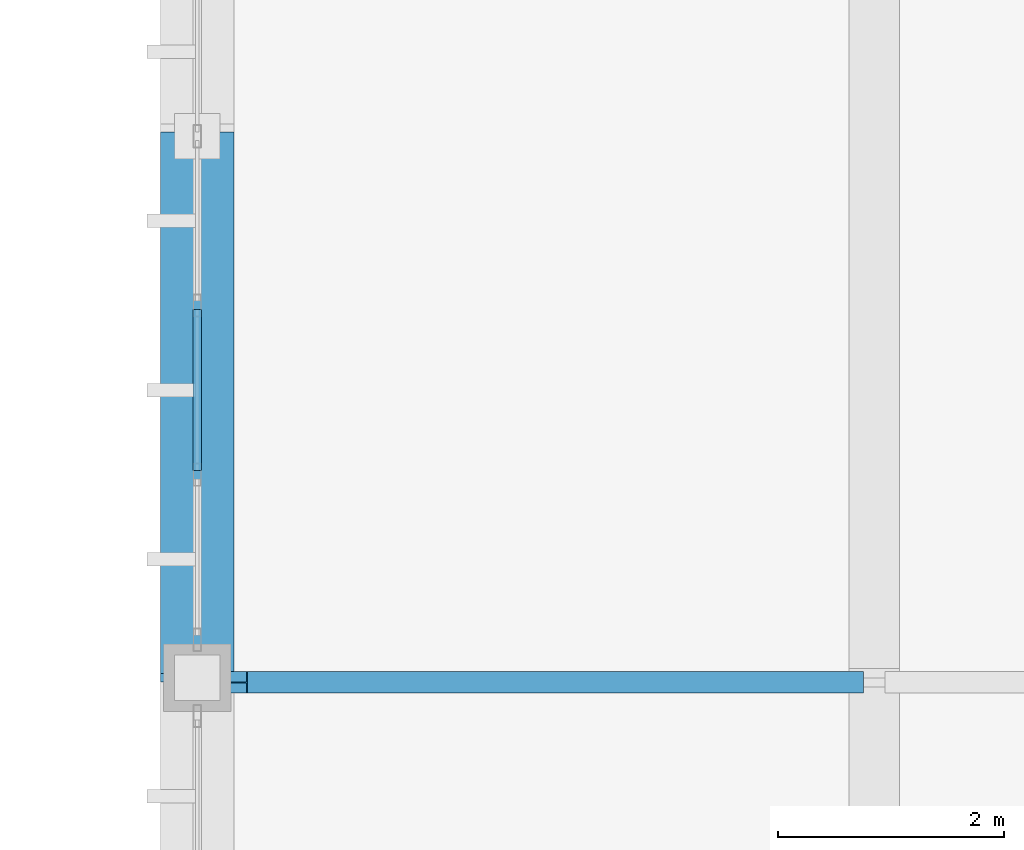
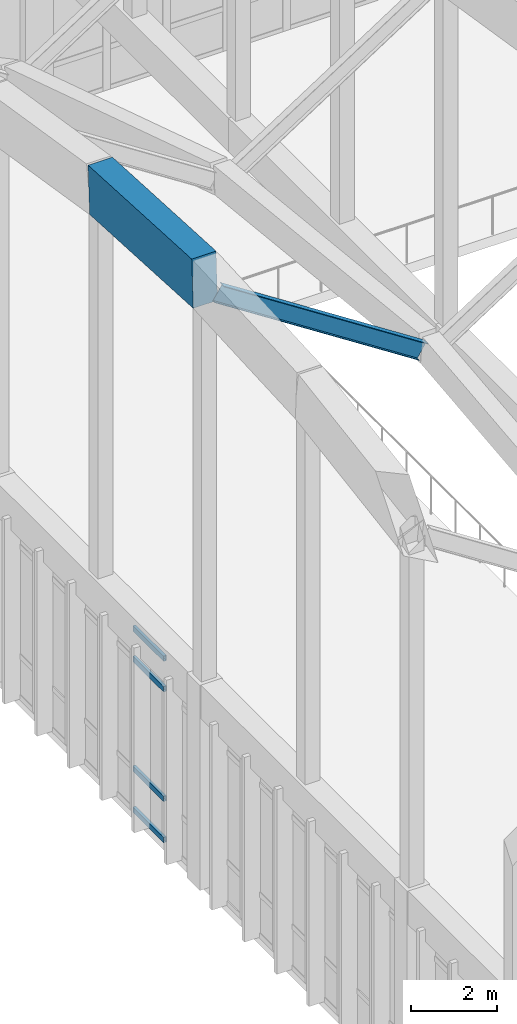
# One storey, part 44 of 236: 5 members, 1 beam, 1 element without a shape of its own.
"""IFC4 building model written with IfcOpenShell, lengths in metres."""

from ifc_helpers import new_model, si_unit, direction, frame, origin, origin_2d, place, context, subcontext, project, spatial, rectangle, hollow_rectangle, i_section, extrude, material, layer, layer_set, material_profile, profile_set, type_object, element, aggregate, save


model = new_model("IFC4")

# Units and contexts
model_context = context("Model", 3, precision=1e-05, world=origin(), true_north=direction((0.0, 1.0)))
body_context = subcontext(model_context, "Body", "Model", "MODEL_VIEW")
ifc_project = project(units=[si_unit("LENGTHUNIT", "METRE"), si_unit("AREAUNIT", "SQUARE_METRE"), si_unit("VOLUMEUNIT", "CUBIC_METRE"), si_unit("PLANEANGLEUNIT", "RADIAN"), si_unit("MASSUNIT", "GRAM", prefix="KILO")], contexts=[model_context])

# Site, building, storey
site_placement = place(None, origin())
site = spatial("IfcSite", under=ifc_project, at=site_placement, CompositionType="ELEMENT")
building_placement = place(site_placement, origin())
building = spatial("IfcBuilding", under=site, at=building_placement, Name="Pandanus Reach Market Hall", CompositionType="ELEMENT")
storey_placement = place(building_placement, frame((0.0, 0.0, 5.39990234375)))
storey = spatial("IfcBuildingStorey", under=building, at=storey_placement, Name="L01", CompositionType="ELEMENT", Elevation=5.39990234375)

# Member
ifc_material_1 = material(Name="Concrete N50 (50 MPa)", Category="concrete")
ifc_material_profile_1 = material_profile(ifc_material_1, rectangle(XDim=0.64990234375, YDim=1.35009765625, at=origin_2d()), Name="RC650x1350", Category="LoadBearing")
ifc_profile_set_1 = profile_set([ifc_material_profile_1], Name="Concrete N50 (50 MPa)")
member_type_1 = type_object("IfcMemberType", Name="AR-RC650-E", PredefinedType="CHORD", material=ifc_profile_set_1)
member_1_placement = place(storey_placement, frame((48.0, 57.60009765625, 16.97998046875), z_axis=(0.0, 0.998587639649, -0.053129332201), x_axis=(-1.0, 0.0, 0.0)))
element("IfcMember", 1, at=member_1_placement, inside=storey, type_object=member_type_1, Name="Parabolic arch top chord A1.7", PredefinedType="CHORD", context=body_context, shape_type="SweptSolid", body=[
    extrude(rectangle(XDim=0.64990234375, YDim=1.35009765625, at=origin_2d()), origin(), (0.0, 0.0, 1.0), 4.806640625),
])

# Beam
ifc_material_2 = material(Name="Steel Grade 350 (350 MPa)", Category="steel")
ifc_material_profile_2 = material_profile(ifc_material_2, i_section(OverallWidth=0.18994140625, OverallDepth=0.45703125, WebThickness=0.009033203125, FlangeThickness=0.014404296875, at=origin_2d()), Name="460UB74.6", Category="LoadBearing")
ifc_profile_set_2 = profile_set([ifc_material_profile_2], Name="Steel Grade 350 (350 MPa)")
beam_type = type_object("IfcBeamType", Name="BM-UB460-I", PredefinedType="BEAM", material=ifc_profile_set_2)
beam_placement = place(storey_placement, frame((48.320068359375, 57.56005859375, 16.530029296875), z_axis=(0.839070527962, 0.0, -0.544022654956), x_axis=(0.0, 1.0, 0.0)))
element("IfcBeam", 2, at=beam_placement, inside=storey, type_object=beam_type, Name="Butterfly transverse rib B1.4L", PredefinedType="BEAM", context=body_context, shape_type="SweptSolid", body=[
    extrude(i_section(OverallWidth=0.18994140625, OverallDepth=0.45703125, WebThickness=0.009033203125, FlangeThickness=0.014404296875, at=origin_2d()), origin(), (0.0, 0.0, 1.0), 6.507080078125),
])

# Curtain wall, members
ifc_material_3 = material(Name="Bronze anodised aluminium and low-E glass", Category="aluminium")
ifc_layer = layer(ifc_material_3, 0.199951171875, Name="CW-05")
ifc_layer_set = layer_set([ifc_layer], Name="Bronze anodised aluminium and low-E glass")
curtain_wall_type = type_object("IfcCurtainWallType", Name="CW-05", PredefinedType="NOTDEFINED", material=ifc_layer_set)
curtain_wall_placement = place(storey_placement, origin())
curtain_wall = element("IfcCurtainWall", 3, at=curtain_wall_placement, inside=storey, type_object=curtain_wall_type, Name="Glazed curtain wall CW-05 CW-0029", PredefinedType="NOTDEFINED")
ifc_material_4 = material(Name="Bronze anodised aluminium", Category="aluminium")
ifc_material_profile_3 = material_profile(ifc_material_4, hollow_rectangle(XDim=0.074951171875, YDim=0.14990234375, WallThickness=0.00439453125, at=origin_2d()), Name="ALU75x150", Category="LoadBearing")
ifc_profile_set_3 = profile_set([ifc_material_profile_3], Name="Bronze anodised aluminium")
member_type_2 = type_object("IfcMemberType", Name="CW-T2", PredefinedType="USERDEFINED", material=ifc_profile_set_3)
member_2_placement = place(storey_placement, frame((48.0, 59.4375, 0.03759765625), z_axis=(0.0, 1.0, 0.0), x_axis=(-1.0, 0.0, 0.0)))
member_2 = element("IfcMember", 4, at=member_2_placement, type_object=member_type_2, Name="CW-05 transom 2.1", ObjectType="TRANSOM", PredefinedType="USERDEFINED", context=body_context, shape_type="SweptSolid", body=[
    extrude(hollow_rectangle(XDim=0.074951171875, YDim=0.14990234375, WallThickness=0.00439453125, at=origin_2d()), origin(), (0.0, 0.0, 1.0), 1.425048828125),
])
member_3_placement = place(storey_placement, frame((48.0, 59.4375, 1.2001953125), z_axis=(0.0, 1.0, 0.0), x_axis=(-1.0, 0.0, 0.0)))
member_3 = element("IfcMember", 5, at=member_3_placement, type_object=member_type_2, Name="CW-05 transom 2.2", ObjectType="TRANSOM", PredefinedType="USERDEFINED", context=body_context, shape_type="SweptSolid", body=[
    extrude(hollow_rectangle(XDim=0.074951171875, YDim=0.14990234375, WallThickness=0.00439453125, at=origin_2d()), origin(), (0.0, 0.0, 1.0), 1.425048828125),
])
member_4_placement = place(storey_placement, frame((48.0, 59.4375, 4.300048828125), z_axis=(0.0, 1.0, 0.0), x_axis=(-1.0, 0.0, 0.0)))
member_4 = element("IfcMember", 6, at=member_4_placement, type_object=member_type_2, Name="CW-05 transom 2.3", ObjectType="TRANSOM", PredefinedType="USERDEFINED", context=body_context, shape_type="SweptSolid", body=[
    extrude(hollow_rectangle(XDim=0.074951171875, YDim=0.14990234375, WallThickness=0.00439453125, at=origin_2d()), origin(), (0.0, 0.0, 1.0), 1.425048828125),
])
member_5_placement = place(storey_placement, frame((48.0, 59.4375, 5.16259765625), z_axis=(0.0, 1.0, 0.0), x_axis=(-1.0, 0.0, 0.0)))
member_5 = element("IfcMember", 7, at=member_5_placement, type_object=member_type_2, Name="CW-05 transom 2.4", ObjectType="TRANSOM", PredefinedType="USERDEFINED", context=body_context, shape_type="SweptSolid", body=[
    extrude(hollow_rectangle(XDim=0.074951171875, YDim=0.14990234375, WallThickness=0.00439453125, at=origin_2d()), origin(), (0.0, 0.0, 1.0), 1.425048828125),
])
aggregate(curtain_wall, [member_2, member_3, member_4, member_5])

save(model, "model.ifc")
